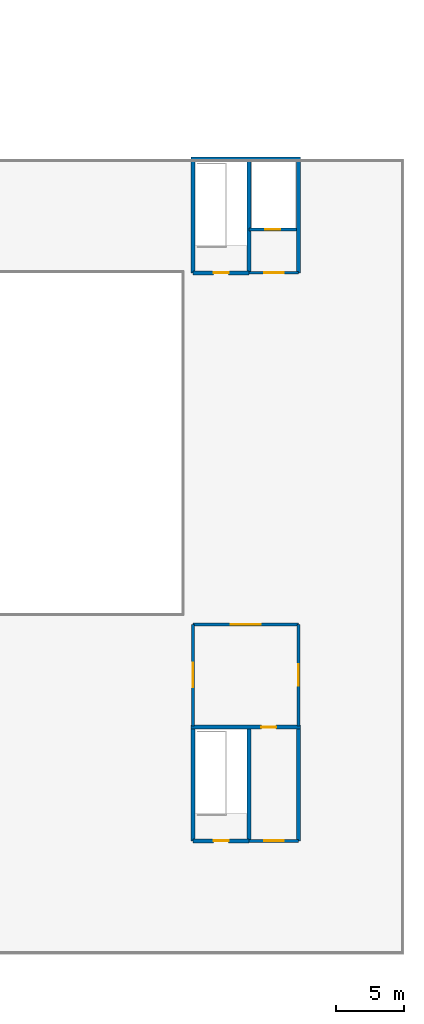
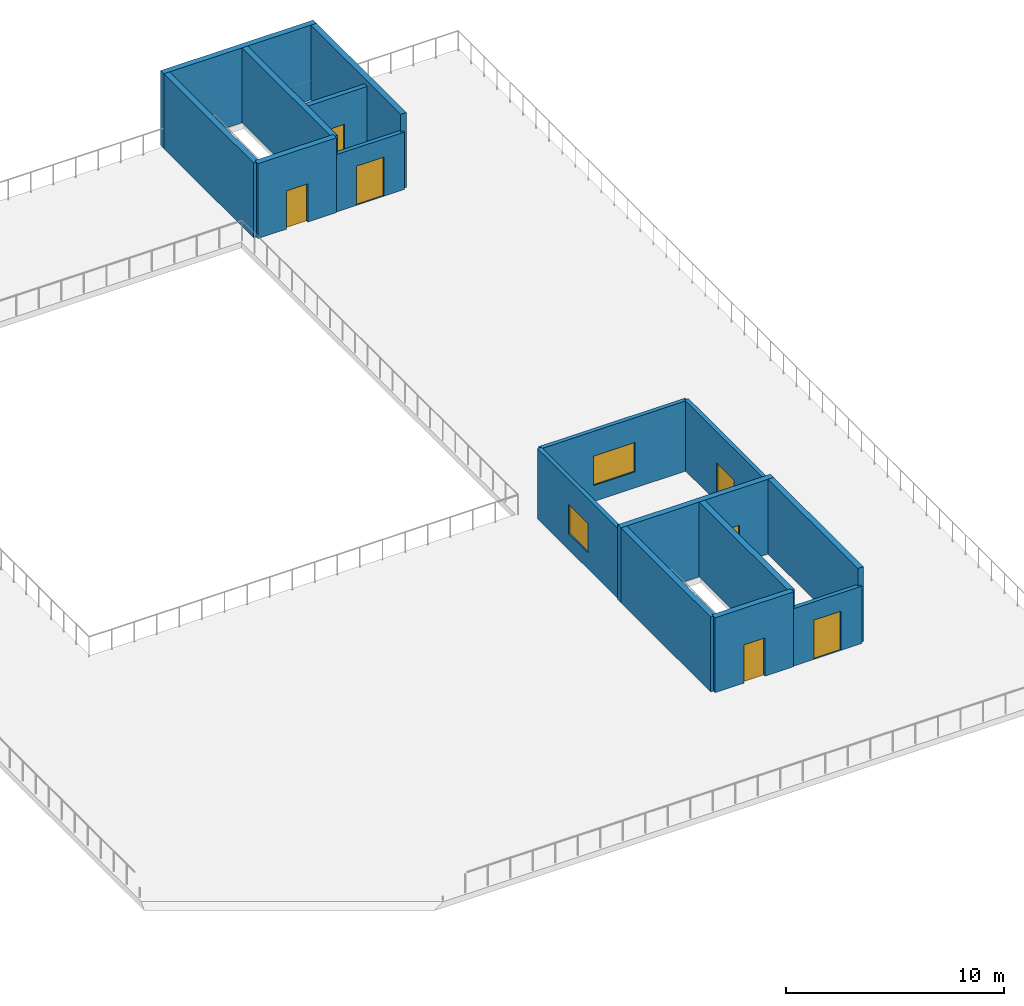
# One storey, part 55 of 63: 16 walls, 7 doors, 2 windows, 9 openings.
"""IFC4 building model written with IfcOpenShell, lengths in metres."""

import ifcopenshell
import ifcopenshell.guid

model = None  # the IFC model being written
_history = None  # IfcOwnerHistory: only IFC2X3 demands one
_inside = {}  # id of a spatial element -> (the spatial element, [elements in it])
_under = {}  # id of a project, library or spatial element -> (it, [spatial elements below it])
_declared = {}  # id of a project -> (the project, [libraries it declares])
_typed = {}  # id of a type object -> (the type object, [elements of that type])
_made_of = {}  # id of a material, layer set ... -> (it, [elements and type objects made of it])


def new_model(schema):
    """Start an empty IFC model of exactly this schema.

    Asked for "IFC4X3", IfcOpenShell would pick the latest addendum, in which some entities
    have other attributes; the version numbers below select the first issue.
    IFC2X3 requires an IfcOwnerHistory on every rooted entity: one is made here for all.
    """
    global model, _history
    if schema == "IFC4X3":
        model = ifcopenshell.file(schema_version=(4, 3, 0, 0))
    else:
        model = ifcopenshell.file(schema=schema)
    _inside.clear()
    _under.clear()
    _declared.clear()
    _typed.clear()
    _made_of.clear()
    _history = None
    if model.schema == "IFC2X3":
        org = make("IfcOrganization", Name="unknown")
        user = make(
            "IfcPersonAndOrganization",
            ThePerson=make("IfcPerson", FamilyName="unknown"),
            TheOrganization=org,
        )
        app = make(
            "IfcApplication",
            ApplicationDeveloper=org,
            Version="unknown",
            ApplicationFullName="unknown",
            ApplicationIdentifier="unknown",
        )
        _history = make(
            "IfcOwnerHistory",
            OwningUser=user,
            OwningApplication=app,
            ChangeAction="ADDED",
            CreationDate=0,
        )
    return model


def make(cls, **values):
    """One entity of the class cls with the attributes given. An attribute that is None is left unset."""
    return model.create_entity(
        cls, **{name: value for name, value in values.items() if value is not None}
    )


def rooted(cls, **values):
    """An entity with a GlobalId (a new one), such as an element, a storey or a relation."""
    return make(cls, GlobalId=ifcopenshell.guid.new(), OwnerHistory=_history, **values)


def si_unit(unit_type, name, prefix=None):
    """IfcSIUnit, for example si_unit("LENGTHUNIT", "METRE", prefix="MILLI")."""
    return make("IfcSIUnit", UnitType=unit_type, Prefix=prefix, Name=name)


def assignment(units):
    """IfcUnitAssignment: the units of a project."""
    return None if units is None else make("IfcUnitAssignment", Units=units)


def point(xyz):
    """IfcCartesianPoint."""
    return None if xyz is None else make("IfcCartesianPoint", Coordinates=xyz)


def direction(xyz):
    """IfcDirection."""
    return None if xyz is None else make("IfcDirection", DirectionRatios=xyz)


def frame(location, z_axis=None, x_axis=None):
    """IfcAxis2Placement3D, a coordinate frame: its origin and axes. An axis left out is left unset."""
    return make(
        "IfcAxis2Placement3D",
        Location=point(location),
        Axis=direction(z_axis),
        RefDirection=direction(x_axis),
    )


def frame_2d(location, x_axis=None):
    """IfcAxis2Placement2D, a coordinate frame in the plane: its origin and x axis."""
    return make(
        "IfcAxis2Placement2D", Location=point(location), RefDirection=direction(x_axis)
    )


def origin():
    """The frame at (0, 0, 0) with its axes left unset."""
    return frame((0.0, 0.0, 0.0))


def place(relative_to, where):
    """IfcLocalPlacement: puts the frame where relative to a parent placement (None: the world)."""
    return make(
        "IfcLocalPlacement", PlacementRelTo=relative_to, RelativePlacement=where
    )


def context(
    kind, dimensions, precision=None, world=None, true_north=None, identifier=None
):
    """IfcGeometricRepresentationContext, for example the 3D "Model" context."""
    return make(
        "IfcGeometricRepresentationContext",
        ContextIdentifier=identifier,
        ContextType=kind,
        CoordinateSpaceDimension=dimensions,
        Precision=precision,
        WorldCoordinateSystem=world,
        TrueNorth=true_north,
    )


def subcontext(parent, identifier, kind, view, scale=None):
    """IfcGeometricRepresentationSubContext, for example "Body" below "Model"."""
    return make(
        "IfcGeometricRepresentationSubContext",
        ContextIdentifier=identifier,
        ContextType=kind,
        ParentContext=parent,
        TargetScale=scale,
        TargetView=view,
    )


def project(units=None, contexts=None):
    """IfcProject with its units and contexts."""
    return rooted(
        "IfcProject",
        Name="project",
        RepresentationContexts=contexts,
        UnitsInContext=assignment(units),
    )


def spatial(cls, under=None, at=None, **own):
    """A site, building, storey or space (cls), placed at a placement, below another one or the project."""
    s = rooted(cls, ObjectPlacement=at, **own)
    if under is not None:
        _under.setdefault(under.id(), (under, []))[1].append(s)
    return s


def profile(cls, at=None, kind="AREA", **sizes):
    """A parametric profile (cls). Its sizes go by their IFC names, for example OverallWidth=200.0."""
    return make(cls, ProfileType=kind, Position=at, **sizes)


def rectangle(**sizes):
    """IfcRectangleProfileDef."""
    return profile("IfcRectangleProfileDef", **sizes)


def extrude(swept, where, along, depth):
    """IfcExtrudedAreaSolid: the profile swept, set in the frame where, extruded along a direction by depth."""
    return make(
        "IfcExtrudedAreaSolid",
        SweptArea=swept,
        Position=where,
        ExtrudedDirection=direction(along),
        Depth=depth,
    )


def shape(context_of_items, identifier, shape_type, items):
    """IfcShapeRepresentation: the items that make up one representation, for example the "Body"."""
    return make(
        "IfcShapeRepresentation",
        ContextOfItems=context_of_items,
        RepresentationIdentifier=identifier,
        RepresentationType=shape_type,
        Items=items,
    )


def material(Name=None, Category=None):
    """IfcMaterial."""
    return make("IfcMaterial", Name=Name, Category=Category)


def layer(
    of_material, thickness, ventilated=None, Name=None, Category=None, Priority=None
):
    """IfcMaterialLayer: one layer of a wall or slab, of a material (None: an air gap)."""
    return make(
        "IfcMaterialLayer",
        Material=of_material,
        LayerThickness=thickness,
        IsVentilated=ventilated,
        Name=Name,
        Category=Category,
        Priority=Priority,
    )


def layer_set(layers, Name=None):
    """IfcMaterialLayerSet."""
    return make("IfcMaterialLayerSet", MaterialLayers=layers, LayerSetName=Name)


def made_of(thing, what):
    """Note that an element or type object is made of a material, layer set ...; save() writes the relation."""
    if what is not None:
        _made_of.setdefault(what.id(), (what, []))[1].append(thing)
    return thing


def type_object(cls, material=None, **own):
    """A type object (cls), such as IfcWallType, which elements share."""
    return made_of(rooted(cls, **own), material)


def element(
    cls,
    number,
    at=None,
    inside=None,
    cuts=None,
    type_object=None,
    material=None,
    context=None,
    identifier="Body",
    shape_type=None,
    held_by="IfcProductDefinitionShape",
    body=None,
    shapes=None,
    **own,
):
    """One element of the class cls, such as IfcWall. Its Tag is "e" and its number.

    at: its placement. inside: the storey or other place that contains it. cuts: it is an
    opening in that element (IfcRelVoidsElement). A single representation is given by context,
    identifier, shape_type and body (its items); several are given by shapes. held_by: the class
    of the entity that holds the representations. save() writes the other relations.
    """
    e = rooted(cls, Tag="e%d" % number, ObjectPlacement=at, **own)
    if body is not None:
        shapes = [shape(context, identifier, shape_type, body)]
    if shapes is not None:
        e.Representation = make(held_by, Representations=shapes)
    if inside is not None:
        _inside.setdefault(inside.id(), (inside, []))[1].append(e)
    if cuts is not None:
        rooted(
            "IfcRelVoidsElement", RelatingBuildingElement=cuts, RelatedOpeningElement=e
        )
    if type_object is not None:
        _typed.setdefault(type_object.id(), (type_object, []))[1].append(e)
    return made_of(e, material)


def fill(opening, filler):
    """IfcRelFillsElement: the door or window that sits in an opening."""
    return rooted(
        "IfcRelFillsElement",
        RelatingOpeningElement=opening,
        RelatedBuildingElement=filler,
    )


def aggregate(whole, parts):
    """IfcRelAggregates: a whole, such as a stair, and the parts it consists of."""
    return rooted("IfcRelAggregates", RelatingObject=whole, RelatedObjects=parts)


def save(model, path):
    """Write the relations noted so far, then the file.

    IfcRelAggregates (storeys below a building ...), IfcRelContainedInSpatialStructure (elements
    in a storey), IfcRelDefinesByType, IfcRelAssociatesMaterial and IfcRelDeclares: one each for
    every whole, place, type object, material and project.
    """
    for whole, parts in _under.values():
        aggregate(whole, parts)
    for where, things in _inside.values():
        rooted(
            "IfcRelContainedInSpatialStructure",
            RelatedElements=things,
            RelatingStructure=where,
        )
    for kind, things in _typed.values():
        rooted("IfcRelDefinesByType", RelatedObjects=things, RelatingType=kind)
    for what, things in _made_of.values():
        rooted("IfcRelAssociatesMaterial", RelatedObjects=things, RelatingMaterial=what)
    for by, libraries in _declared.values():
        rooted("IfcRelDeclares", RelatingContext=by, RelatedDefinitions=libraries)
    model.write(path)


model = new_model("IFC4")

# Units and contexts
model_context = context("Model", 3, precision=1e-05, world=origin(), true_north=direction((0.0, 1.0)))
body_context = subcontext(model_context, "Body", "Model", "MODEL_VIEW")
ifc_project = project(units=[si_unit("LENGTHUNIT", "METRE"), si_unit("AREAUNIT", "SQUARE_METRE"), si_unit("VOLUMEUNIT", "CUBIC_METRE"), si_unit("PLANEANGLEUNIT", "RADIAN"), si_unit("MASSUNIT", "GRAM", prefix="KILO")], contexts=[model_context])

# Site, building, storey
site_placement = place(None, origin())
site = spatial("IfcSite", under=ifc_project, at=site_placement, CompositionType="ELEMENT")
building_placement = place(site_placement, origin())
building = spatial("IfcBuilding", under=site, at=building_placement, Name="Zizhar Promenade General Hospital", CompositionType="ELEMENT")
storey_placement = place(building_placement, frame((0.0, 0.0, 18.0)))
storey = spatial("IfcBuildingStorey", under=building, at=storey_placement, Name="L04", CompositionType="ELEMENT", Elevation=18.0)

# Wall, opening, door
ifc_material_1 = material(Name="Precast concrete C40/50", Category="concrete")
ifc_layer_1 = layer(ifc_material_1, 0.2099609375)
ifc_layer_set_1 = layer_set([ifc_layer_1], Name="Precast concrete C40/50")
wall_type_1 = type_object("IfcWallType", Name="EW-PENT-210", PredefinedType="STANDARD", material=ifc_layer_set_1)
wall_1_placement = place(storey_placement, frame((179.39990234375, 66.39990234375, 0.0), z_axis=(0.0, 0.0, 1.0), x_axis=(0.0, -1.0, 0.0)))
wall_1 = element("IfcWall", 1, at=wall_1_placement, inside=storey, type_object=wall_type_1, Name="Rehabilitation Lounge East Garden Wall", PredefinedType="STANDARD", context=body_context, shape_type="SweptSolid", body=[
    extrude(rectangle(XDim=7.5, YDim=0.2099609375, at=frame_2d((3.75, 0.0))), origin(), (0.0, 0.0, 1.0), 3.93994140625),
])
opening_1_placement = place(wall_1_placement, frame((2.949951171875, 0.0, 0.0)))
opening_1 = element("IfcOpeningElement", 2, at=opening_1_placement, cuts=wall_1, Name="Opening ED-05", PredefinedType="OPENING", context=body_context, shape_type="SweptSolid", body=[
    extrude(rectangle(XDim=1.60009765625, YDim=2.199951171875, at=frame_2d((0.800048828125, 1.10009765625))), frame((0.0, 0.114990234375, 0.0), z_axis=(0.0, -1.0, 0.0), x_axis=(1.0, 0.0, 0.0)), (0.0, 0.0, 1.0), 0.22998046875),
])
ifc_material_2 = material(Name="Anodised aluminium 6063-T6 and laminated safety glass", Category="aluminium")
door_type_1 = type_object("IfcDoorType", Name="DR-EXT-TERR-160x220", OperationType="DOUBLE_DOOR_SINGLE_SWING", PredefinedType="DOOR", material=ifc_material_2)
door_1_placement = place(opening_1_placement, origin())
door_1 = element("IfcDoor", 3, at=door_1_placement, inside=storey, type_object=door_type_1, Name="Rehabilitation Lounge Roof Garden Door", OperationType="DOUBLE_DOOR_SINGLE_SWING", OverallHeight=2.199951171875, OverallWidth=1.60009765625, PredefinedType="DOOR", context=body_context, shape_type="SweptSolid", body=[
    extrude(rectangle(XDim=1.60009765625, YDim=2.199951171875, at=frame_2d((0.800048828125, 1.10009765625))), frame((0.0, 0.02490234375, 0.0), z_axis=(0.0, -1.0, 0.0), x_axis=(1.0, 0.0, 0.0)), (0.0, 0.0, 1.0), 0.050048828125),
])
fill(opening_1, door_1)

# Wall, opening, window
wall_2_placement = place(storey_placement, frame((171.60009765625, 58.89990234375, 0.0), z_axis=(0.0, 0.0, 1.0), x_axis=(0.0, 1.0, 0.0)))
wall_2 = element("IfcWall", 4, at=wall_2_placement, inside=storey, type_object=wall_type_1, Name="Rehabilitation Lounge West Wall", PredefinedType="STANDARD", context=body_context, shape_type="SweptSolid", body=[
    extrude(rectangle(XDim=7.5, YDim=0.2099609375, at=frame_2d((3.75, 0.0))), origin(), (0.0, 0.0, 1.0), 3.93994140625),
])
opening_2_placement = place(wall_2_placement, frame((2.85009765625, 0.0, 0.89990234375)))
opening_2 = element("IfcOpeningElement", 5, at=opening_2_placement, cuts=wall_2, Name="Opening W-08", PredefinedType="OPENING", context=body_context, shape_type="SweptSolid", body=[
    extrude(rectangle(XDim=1.800048828125, YDim=1.64990234375, at=frame_2d((0.89990234375, 0.824951171875))), frame((0.0, 0.114990234375, 0.0), z_axis=(0.0, -1.0, 0.0), x_axis=(1.0, 0.0, 0.0)), (0.0, 0.0, 1.0), 0.22998046875),
])
ifc_material_3 = material(Name="Anodised aluminium 6063-T6 and low-E glass", Category="aluminium")
window_type_1 = type_object("IfcWindowType", Name="WIN-CLN-180x165", PartitioningType="DOUBLE_PANEL_VERTICAL", PredefinedType="WINDOW", material=ifc_material_3)
window_1_placement = place(opening_2_placement, origin())
window_1 = element("IfcWindow", 6, at=window_1_placement, inside=storey, type_object=window_type_1, Name="Rehabilitation Lounge West Wall Window 1", OverallHeight=1.64990234375, OverallWidth=1.800048828125, PartitioningType="SINGLE_PANEL", PredefinedType="WINDOW", context=body_context, shape_type="SweptSolid", body=[
    extrude(rectangle(XDim=1.800048828125, YDim=1.64990234375, at=frame_2d((0.89990234375, 0.824951171875))), frame((0.0, 0.030029296875, 0.0), z_axis=(0.0, -1.0, 0.0), x_axis=(1.0, 0.0, 0.0)), (0.0, 0.0, 1.0), 0.06005859375),
])
fill(opening_2, window_1)

wall_3_placement = place(storey_placement, frame((171.60009765625, 66.39990234375, 0.0), z_axis=(0.0, 0.0, 1.0), x_axis=(1.0, 0.0, 0.0)))
wall_3 = element("IfcWall", 7, at=wall_3_placement, inside=storey, type_object=wall_type_1, Name="Rehabilitation Lounge North Wall", PredefinedType="STANDARD", context=body_context, shape_type="SweptSolid", body=[
    extrude(rectangle(XDim=7.7998046875, YDim=0.2099609375, at=frame_2d((3.89990234375, 0.0))), origin(), (0.0, 0.0, 1.0), 3.93994140625),
])
opening_3_placement = place(wall_3_placement, frame((2.800048828125, 0.0, 0.89990234375)))
opening_3 = element("IfcOpeningElement", 8, at=opening_3_placement, cuts=wall_3, Name="Opening W-07", PredefinedType="OPENING", context=body_context, shape_type="SweptSolid", body=[
    extrude(rectangle(XDim=2.199951171875, YDim=1.64990234375, at=frame_2d((1.10009765625, 0.824951171875))), frame((0.0, 0.114990234375, 0.0), z_axis=(0.0, -1.0, 0.0), x_axis=(1.0, 0.0, 0.0)), (0.0, 0.0, 1.0), 0.22998046875),
])
ifc_material_4 = material(Name="Anodised aluminium 6063-T6 and low-E glass", Category="aluminium")
window_type_2 = type_object("IfcWindowType", Name="WIN-CLN-220x165", PartitioningType="DOUBLE_PANEL_VERTICAL", PredefinedType="WINDOW", material=ifc_material_4)
window_2_placement = place(opening_3_placement, origin())
window_2 = element("IfcWindow", 9, at=window_2_placement, inside=storey, type_object=window_type_2, Name="Rehabilitation Lounge North Wall Window 1", OverallHeight=1.64990234375, OverallWidth=2.199951171875, PartitioningType="SINGLE_PANEL", PredefinedType="WINDOW", context=body_context, shape_type="SweptSolid", body=[
    extrude(rectangle(XDim=2.199951171875, YDim=1.64990234375, at=frame_2d((1.10009765625, 0.824951171875))), frame((0.0, 0.030029296875, 0.0), z_axis=(0.0, -1.0, 0.0), x_axis=(1.0, 0.0, 0.0)), (0.0, 0.0, 1.0), 0.06005859375),
])
fill(opening_3, window_2)

# Wall, opening, door
ifc_material_5 = material(Name="Concrete C35/45", Category="concrete")
ifc_layer_2 = layer(ifc_material_5, 0.215087890625)
ifc_layer_set_2 = layer_set([ifc_layer_2], Name="Concrete C35/45")
wall_type_2 = type_object("IfcWallType", Name="IW-LOBBY-215", PredefinedType="STANDARD", material=ifc_layer_set_2)
wall_4_placement = place(storey_placement, frame((175.75, 92.39990234375, 0.0), z_axis=(0.0, 0.0, 1.0), x_axis=(1.0, 0.0, 0.0)))
wall_4 = element("IfcWall", 10, at=wall_4_placement, inside=storey, type_object=wall_type_2, Name="Core C8 Lift Lobby South Fire Wall (L04)", PredefinedType="STANDARD", context=body_context, shape_type="SweptSolid", body=[
    extrude(rectangle(XDim=3.64990234375, YDim=0.215087890625, at=frame_2d((1.824951171875, 0.0))), origin(), (0.0, 0.0, 1.0), 3.219970703125),
])
opening_4_placement = place(wall_4_placement, frame((1.10498046875, 0.0, 0.0)))
opening_4 = element("IfcOpeningElement", 11, at=opening_4_placement, cuts=wall_4, Name="Opening D-23", PredefinedType="OPENING", context=body_context, shape_type="SweptSolid", body=[
    extrude(rectangle(XDim=1.43994140625, YDim=2.199951171875, at=frame_2d((0.719970703125, 1.10009765625))), frame((0.0, 0.11767578125, 0.0), z_axis=(0.0, -1.0, 0.0), x_axis=(1.0, 0.0, 0.0)), (0.0, 0.0, 1.0), 0.235107421875),
])
ifc_material_6 = material(Name="Fire-rated timber lift lobby pair", Category="wood")
door_type_2 = type_object("IfcDoorType", Name="DR-LOBBY-PR-144x220", OperationType="DOUBLE_DOOR_SINGLE_SWING", PredefinedType="DOOR", material=ifc_material_6)
door_2_placement = place(opening_4_placement, origin())
door_2 = element("IfcDoor", 12, at=door_2_placement, inside=storey, type_object=door_type_2, Name="Core C8 Protected Lift Lobby Door (L04)", OperationType="DOUBLE_DOOR_SINGLE_SWING", OverallHeight=2.199951171875, OverallWidth=1.43994140625, PredefinedType="DOOR", context=body_context, shape_type="SweptSolid", body=[
    extrude(rectangle(XDim=1.43994140625, YDim=2.199951171875, at=frame_2d((0.719970703125, 1.10009765625))), frame((0.0, 0.02490234375, 0.0), z_axis=(0.0, -1.0, 0.0), x_axis=(1.0, 0.0, 0.0)), (0.0, 0.0, 1.0), 0.050048828125),
])
fill(opening_4, door_2)

wall_5_placement = place(storey_placement, frame((175.75, 50.39990234375, 0.0), z_axis=(0.0, 0.0, 1.0), x_axis=(1.0, 0.0, 0.0)))
wall_5 = element("IfcWall", 13, at=wall_5_placement, inside=storey, type_object=wall_type_2, Name="Core C9 Lift Lobby South Fire Wall (L04)", PredefinedType="STANDARD", context=body_context, shape_type="SweptSolid", body=[
    extrude(rectangle(XDim=3.64990234375, YDim=0.215087890625, at=frame_2d((1.824951171875, 0.0))), origin(), (0.0, 0.0, 1.0), 3.219970703125),
])
opening_5_placement = place(wall_5_placement, frame((1.10498046875, 0.0, 0.0)))
opening_5 = element("IfcOpeningElement", 14, at=opening_5_placement, cuts=wall_5, Name="Opening D-23", PredefinedType="OPENING", context=body_context, shape_type="SweptSolid", body=[
    extrude(rectangle(XDim=1.43994140625, YDim=2.199951171875, at=frame_2d((0.719970703125, 1.10009765625))), frame((0.0, 0.11767578125, 0.0), z_axis=(0.0, -1.0, 0.0), x_axis=(1.0, 0.0, 0.0)), (0.0, 0.0, 1.0), 0.235107421875),
])
door_3_placement = place(opening_5_placement, origin())
door_3 = element("IfcDoor", 15, at=door_3_placement, inside=storey, type_object=door_type_2, Name="Core C9 Protected Lift Lobby Door (L04)", OperationType="DOUBLE_DOOR_SINGLE_SWING", OverallHeight=2.199951171875, OverallWidth=1.43994140625, PredefinedType="DOOR", context=body_context, shape_type="SweptSolid", body=[
    extrude(rectangle(XDim=1.43994140625, YDim=2.199951171875, at=frame_2d((0.719970703125, 1.10009765625))), frame((0.0, 0.02490234375, 0.0), z_axis=(0.0, -1.0, 0.0), x_axis=(1.0, 0.0, 0.0)), (0.0, 0.0, 1.0), 0.050048828125),
])
fill(opening_5, door_3)

ifc_material_7 = material(Name="Concrete C35/45", Category="concrete")
ifc_layer_3 = layer(ifc_material_7, 0.25)
ifc_layer_set_3 = layer_set([ifc_layer_3], Name="Concrete C35/45")
wall_type_3 = type_object("IfcWallType", Name="IW-SHAFT-250", PredefinedType="STANDARD", material=ifc_layer_set_3)
wall_6_placement = place(storey_placement, frame((175.75, 95.60009765625, 0.0), z_axis=(0.0, 0.0, 1.0), x_axis=(1.0, 0.0, 0.0)))
wall_6 = element("IfcWall", 16, at=wall_6_placement, inside=storey, type_object=wall_type_3, Name="Core C8 Lift Shaft Landing Wall (L04)", PredefinedType="STANDARD", context=body_context, shape_type="SweptSolid", body=[
    extrude(rectangle(XDim=3.5, YDim=0.25, at=frame_2d((1.75, 0.0))), origin(), (0.0, 0.0, 1.0), 3.89990234375),
])
opening_6_placement = place(wall_6_placement, frame((1.199951171875, 0.0, 0.0)))
opening_6 = element("IfcOpeningElement", 17, at=opening_6_placement, cuts=wall_6, Name="Opening LD-11", PredefinedType="OPENING", context=body_context, shape_type="SweptSolid", body=[
    extrude(rectangle(XDim=1.10009765625, YDim=2.199951171875, at=frame_2d((0.550048828125, 1.10009765625))), frame((0.0, 0.135009765625, 0.0), z_axis=(0.0, -1.0, 0.0), x_axis=(1.0, 0.0, 0.0)), (0.0, 0.0, 1.0), 0.27001953125),
])
ifc_material_8 = material(Name="Stainless Steel S355 passenger lift landing door", Category="steel")
door_type_3 = type_object("IfcDoorType", Name="DR-LIFT-LD11", OperationType="SLIDING_TO_LEFT", PredefinedType="DOOR", material=ifc_material_8)
door_4_placement = place(opening_6_placement, origin())
door_4 = element("IfcDoor", 18, at=door_4_placement, inside=storey, type_object=door_type_3, Name="Lift LP-04 Sliding Landing Door (L04)", OperationType="SLIDING_TO_LEFT", OverallHeight=2.199951171875, OverallWidth=1.10009765625, PredefinedType="DOOR", context=body_context, shape_type="SweptSolid", body=[
    extrude(rectangle(XDim=1.10009765625, YDim=2.199951171875, at=frame_2d((0.550048828125, 1.10009765625))), frame((0.0, 0.02490234375, 0.0), z_axis=(0.0, -1.0, 0.0), x_axis=(1.0, 0.0, 0.0)), (0.0, 0.0, 1.0), 0.050048828125),
])
fill(opening_6, door_4)

# Walls
ifc_material_9 = material(Name="Concrete C40/50", Category="concrete")
ifc_layer_4 = layer(ifc_material_9, 0.300048828125)
ifc_layer_set_4 = layer_set([ifc_layer_4], Name="Concrete C40/50")
wall_type_4 = type_object("IfcWallType", Name="WL-CORE-300", PredefinedType="SHEAR", material=ifc_layer_set_4)
wall_7_placement = place(storey_placement, frame((171.449951171875, 100.800048828125, 0.0), z_axis=(0.0, 0.0, 1.0), x_axis=(1.0, 0.0, 0.0)))
element("IfcWall", 19, at=wall_7_placement, inside=storey, type_object=wall_type_4, Name="Core C8 North Shear Wall L04", PredefinedType="SHEAR", context=body_context, shape_type="SweptSolid", body=[
    extrude(rectangle(XDim=8.10009765625, YDim=0.300048828125, at=frame_2d((4.050048828125, 0.0))), origin(), (0.0, 0.0, 1.0), 4.199951171875),
])
for number, where, z_axis, x_axis, name in (
    (20, (171.60009765625, 92.39990234375, 0.0), (0.0, 0.0, 1.0), (0.0, 1.0, 0.0), "Core C8 West Shear Wall L04"),
    (21, (179.39990234375, 92.39990234375, 0.0), (0.0, 0.0, 1.0), (0.0, 1.0, 0.0), "Core C8 East Shear Wall L04"),
):
    element("IfcWall", number, at=place(storey_placement, frame(where, z_axis=z_axis, x_axis=x_axis)), inside=storey, type_object=wall_type_4, Name=name, PredefinedType="SHEAR", context=body_context, shape_type="SweptSolid", body=[
        extrude(rectangle(XDim=8.400146484375, YDim=0.300048828125, at=frame_2d((4.2001953125, 0.0))), origin(), (0.0, 0.0, 1.0), 4.199951171875),
    ])

# Wall, opening, door
wall_8_placement = place(storey_placement, frame((171.449951171875, 58.800048828125, 0.0), z_axis=(0.0, 0.0, 1.0), x_axis=(1.0, 0.0, 0.0)))
wall_8 = element("IfcWall", 22, at=wall_8_placement, inside=storey, type_object=wall_type_4, Name="Core C9 North Shear Wall L04", PredefinedType="SHEAR", context=body_context, shape_type="SweptSolid", body=[
    extrude(rectangle(XDim=8.10009765625, YDim=0.300048828125, at=frame_2d((4.050048828125, 0.0))), origin(), (0.0, 0.0, 1.0), 4.199951171875),
])
opening_7_placement = place(wall_8_placement, frame((5.199951171875, 0.0, 0.0)))
opening_7 = element("IfcOpeningElement", 23, at=opening_7_placement, cuts=wall_8, Name="Opening D-14", PredefinedType="OPENING", context=body_context, shape_type="SweptSolid", body=[
    extrude(rectangle(XDim=1.10009765625, YDim=2.14990234375, at=frame_2d((0.550048828125, 1.074951171875))), frame((0.0, 0.16015625, 0.0), z_axis=(0.0, -1.0, 0.0), x_axis=(1.0, 0.0, 0.0)), (0.0, 0.0, 1.0), 0.320068359375),
])
ifc_material_10 = material(Name="Fire-rated timber consultation leaf", Category="wood")
door_type_4 = type_object("IfcDoorType", Name="DR-CLN-CONS-110x215", OperationType="NOTDEFINED", PredefinedType="DOOR", material=ifc_material_10)
door_5_placement = place(opening_7_placement, origin())
door_5 = element("IfcDoor", 24, at=door_5_placement, inside=storey, type_object=door_type_4, Name="Rehabilitation Lounge to Core C9 Door", OperationType="SINGLE_SWING_LEFT", OverallHeight=2.14990234375, OverallWidth=1.10009765625, PredefinedType="DOOR", context=body_context, shape_type="SweptSolid", body=[
    extrude(rectangle(XDim=1.10009765625, YDim=2.14990234375, at=frame_2d((0.550048828125, 1.074951171875))), frame((0.0, 0.02490234375, 0.0), z_axis=(0.0, -1.0, 0.0), x_axis=(1.0, 0.0, 0.0)), (0.0, 0.0, 1.0), 0.050048828125),
])
fill(opening_7, door_5)

# Walls
for number, where, z_axis, x_axis, name in (
    (25, (171.60009765625, 50.39990234375, 0.0), (0.0, 0.0, 1.0), (0.0, 1.0, 0.0), "Core C9 West Shear Wall L04"),
    (26, (179.39990234375, 50.39990234375, 0.0), (0.0, 0.0, 1.0), (0.0, 1.0, 0.0), "Core C9 East Shear Wall L04"),
):
    element("IfcWall", number, at=place(storey_placement, frame(where, z_axis=z_axis, x_axis=x_axis)), inside=storey, type_object=wall_type_4, Name=name, PredefinedType="SHEAR", context=body_context, shape_type="SweptSolid", body=[
        extrude(rectangle(XDim=8.400146484375, YDim=0.300048828125, at=frame_2d((4.2001953125, 0.0))), origin(), (0.0, 0.0, 1.0), 4.199951171875),
    ])

# Wall, opening, door
wall_9_placement = place(storey_placement, frame((171.60009765625, 92.39990234375, 0.0), z_axis=(0.0, 0.0, 1.0), x_axis=(1.0, 0.0, 0.0)))
wall_9 = element("IfcWall", 27, at=wall_9_placement, inside=storey, type_object=wall_type_4, Name="Core C8 Stair South Fire Wall (L04)", PredefinedType="SHEAR", context=body_context, shape_type="SweptSolid", body=[
    extrude(rectangle(XDim=4.14990234375, YDim=0.300048828125, at=frame_2d((2.074951171875, 0.0))), origin(), (0.0, 0.0, 1.0), 4.199951171875),
])
opening_8_placement = place(wall_9_placement, frame((1.514892578125, 0.0, 0.0)))
opening_8 = element("IfcOpeningElement", 28, at=opening_8_placement, cuts=wall_9, Name="Opening D-21", PredefinedType="OPENING", context=body_context, shape_type="SweptSolid", body=[
    extrude(rectangle(XDim=1.1201171875, YDim=2.14990234375, at=frame_2d((0.56005859375, 1.074951171875))), frame((0.0, 0.16015625, 0.0), z_axis=(0.0, -1.0, 0.0), x_axis=(1.0, 0.0, 0.0)), (0.0, 0.0, 1.0), 0.320068359375),
])
ifc_material_11 = material(Name="Steel S355 protected stair door", Category="steel")
door_type_5 = type_object("IfcDoorType", Name="DR-STAIR-112x215", OperationType="NOTDEFINED", PredefinedType="DOOR", material=ifc_material_11)
door_6_placement = place(opening_8_placement, origin())
door_6 = element("IfcDoor", 29, at=door_6_placement, inside=storey, type_object=door_type_5, Name="Exit Stair ST-08 Door (L04)", OperationType="SINGLE_SWING_RIGHT", OverallHeight=2.14990234375, OverallWidth=1.1201171875, PredefinedType="DOOR", context=body_context, shape_type="SweptSolid", body=[
    extrude(rectangle(XDim=1.1201171875, YDim=2.14990234375, at=frame_2d((0.56005859375, 1.074951171875))), frame((0.0, 0.02490234375, 0.0), z_axis=(0.0, -1.0, 0.0), x_axis=(1.0, 0.0, 0.0)), (0.0, 0.0, 1.0), 0.050048828125),
])
fill(opening_8, door_6)

# Wall
wall_10_placement = place(storey_placement, frame((175.75, 92.39990234375, 0.0), z_axis=(0.0, 0.0, 1.0), x_axis=(0.0, 1.0, 0.0)))
element("IfcWall", 30, at=wall_10_placement, inside=storey, type_object=wall_type_4, Name="Core C8 Stair-Shaft Separation Wall (L04)", PredefinedType="SHEAR", context=body_context, shape_type="SweptSolid", body=[
    extrude(rectangle(XDim=8.400146484375, YDim=0.300048828125, at=frame_2d((4.2001953125, 0.0))), origin(), (0.0, 0.0, 1.0), 4.199951171875),
])

# Wall, opening, door
wall_11_placement = place(storey_placement, frame((171.60009765625, 50.39990234375, 0.0), z_axis=(0.0, 0.0, 1.0), x_axis=(1.0, 0.0, 0.0)))
wall_11 = element("IfcWall", 31, at=wall_11_placement, inside=storey, type_object=wall_type_4, Name="Core C9 Stair South Fire Wall (L04)", PredefinedType="SHEAR", context=body_context, shape_type="SweptSolid", body=[
    extrude(rectangle(XDim=4.14990234375, YDim=0.300048828125, at=frame_2d((2.074951171875, 0.0))), origin(), (0.0, 0.0, 1.0), 4.199951171875),
])
opening_9_placement = place(wall_11_placement, frame((1.514892578125, 0.0, 0.0)))
opening_9 = element("IfcOpeningElement", 32, at=opening_9_placement, cuts=wall_11, Name="Opening D-21", PredefinedType="OPENING", context=body_context, shape_type="SweptSolid", body=[
    extrude(rectangle(XDim=1.1201171875, YDim=2.14990234375, at=frame_2d((0.56005859375, 1.074951171875))), frame((0.0, 0.16015625, 0.0), z_axis=(0.0, -1.0, 0.0), x_axis=(1.0, 0.0, 0.0)), (0.0, 0.0, 1.0), 0.320068359375),
])
door_7_placement = place(opening_9_placement, origin())
door_7 = element("IfcDoor", 33, at=door_7_placement, inside=storey, type_object=door_type_5, Name="Exit Stair ST-09 Door (L04)", OperationType="SINGLE_SWING_LEFT", OverallHeight=2.14990234375, OverallWidth=1.1201171875, PredefinedType="DOOR", context=body_context, shape_type="SweptSolid", body=[
    extrude(rectangle(XDim=1.1201171875, YDim=2.14990234375, at=frame_2d((0.56005859375, 1.074951171875))), frame((0.0, 0.02490234375, 0.0), z_axis=(0.0, -1.0, 0.0), x_axis=(1.0, 0.0, 0.0)), (0.0, 0.0, 1.0), 0.050048828125),
])
fill(opening_9, door_7)

# Wall
wall_12_placement = place(storey_placement, frame((175.75, 50.39990234375, 0.0), z_axis=(0.0, 0.0, 1.0), x_axis=(0.0, 1.0, 0.0)))
element("IfcWall", 34, at=wall_12_placement, inside=storey, type_object=wall_type_4, Name="Core C9 Stair-Shaft Separation Wall (L04)", PredefinedType="SHEAR", context=body_context, shape_type="SweptSolid", body=[
    extrude(rectangle(XDim=8.400146484375, YDim=0.300048828125, at=frame_2d((4.2001953125, 0.0))), origin(), (0.0, 0.0, 1.0), 4.199951171875),
])

save(model, "model.ifc")
